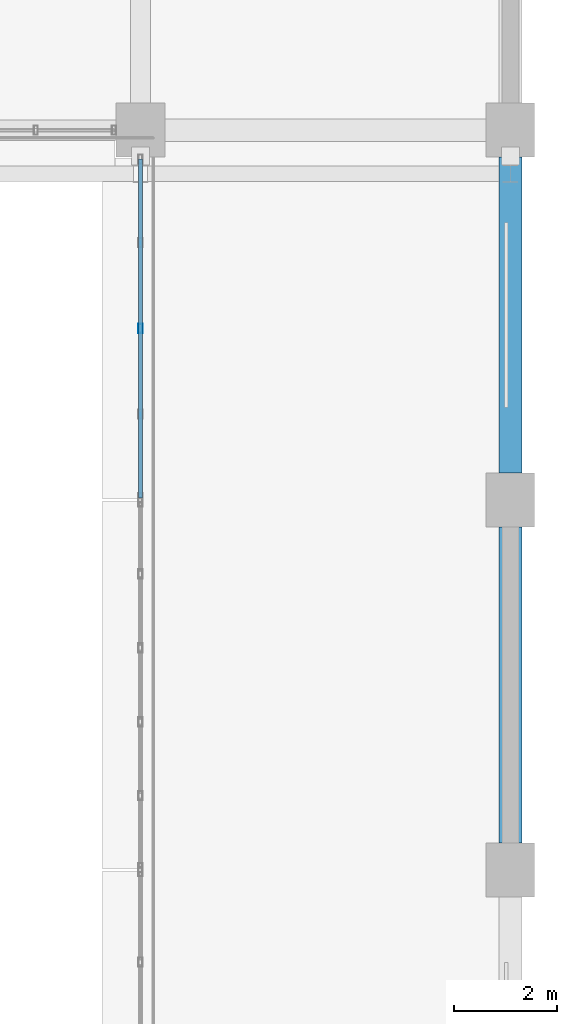
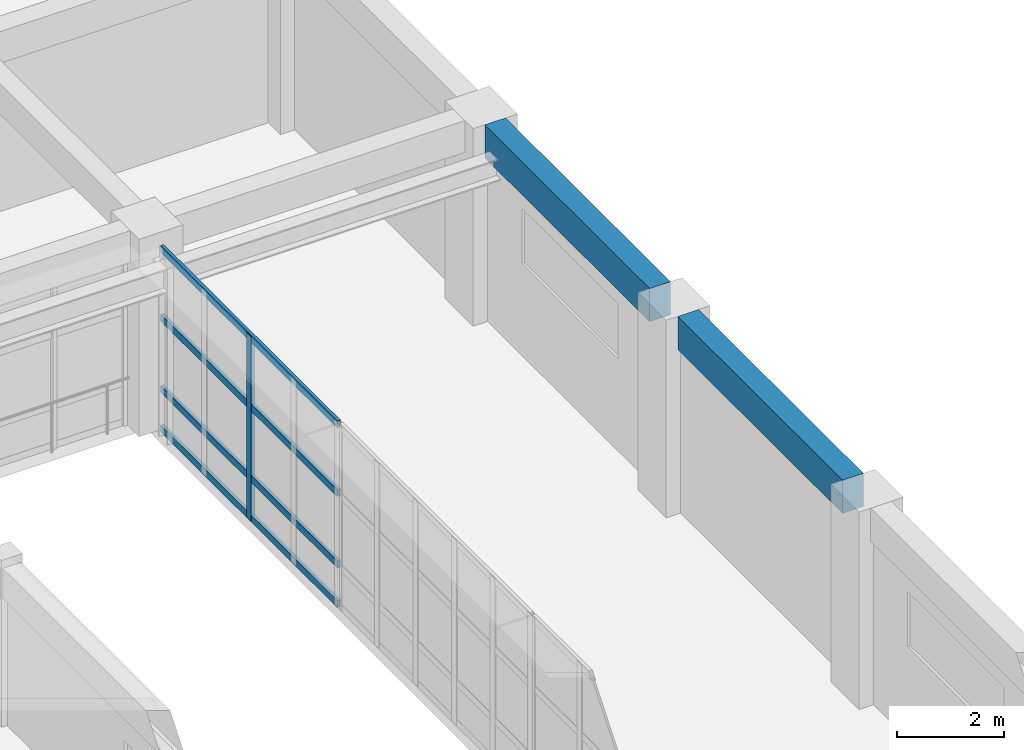
# One storey, part 102 of 171: 5 members, 2 beams, 1 element without a shape of its own.
"""IFC4 building model written with IfcOpenShell, lengths in metres."""

from ifc_helpers import new_model, si_unit, direction, frame, origin, origin_2d, place, context, subcontext, project, spatial, rectangle, hollow_rectangle, extrude, material, material_profile, profile_set, type_object, element, aggregate, save


model = new_model("IFC4")

# Units and contexts
model_context = context("Model", 3, precision=1e-05, world=origin(), true_north=direction((0.0, 1.0)))
body_context = subcontext(model_context, "Body", "Model", "MODEL_VIEW")
ifc_project = project(units=[si_unit("LENGTHUNIT", "METRE"), si_unit("AREAUNIT", "SQUARE_METRE"), si_unit("VOLUMEUNIT", "CUBIC_METRE"), si_unit("PLANEANGLEUNIT", "RADIAN"), si_unit("MASSUNIT", "GRAM", prefix="KILO")], contexts=[model_context])

# Site, building, storey
site_placement = place(None, origin())
site = spatial("IfcSite", under=ifc_project, at=site_placement, CompositionType="ELEMENT")
building_placement = place(site_placement, origin())
building = spatial("IfcBuilding", under=site, at=building_placement, Name="Thalmaran Polytechnic", CompositionType="ELEMENT")
storey_placement = place(building_placement, frame((0.0, 0.0, 5.39990234375)))
storey = spatial("IfcBuildingStorey", under=building, at=storey_placement, Name="L01", CompositionType="ELEMENT", Elevation=5.39990234375)

# Beams
ifc_material_1 = material(Name="Concrete C40/50", Category="concrete")
ifc_material_profile_1 = material_profile(ifc_material_1, rectangle(XDim=0.449951171875, YDim=0.7548828125, at=origin_2d()), Name="RC 450x755")
ifc_profile_set_1 = profile_set([ifc_material_profile_1], Name="Concrete C40/50")
beam_type = type_object("IfcBeamType", Name="BM-SP02", PredefinedType="SPANDREL", material=ifc_profile_set_1)
beam_1_placement = place(storey_placement, frame((172.800048828125, 36.52490234375, 4.12255859375), z_axis=(0.0, 1.0, 0.0), x_axis=(-1.0, 0.0, 0.0)))
element("IfcBeam", 1, at=beam_1_placement, inside=storey, type_object=beam_type, Name="Grid Beam SP02 L01 Y(24,5)", PredefinedType="SPANDREL", context=body_context, shape_type="SweptSolid", body=[
    extrude(rectangle(XDim=0.449951171875, YDim=0.7548828125, at=origin_2d()), origin(), (0.0, 0.0, 1.0), 6.150146484375),
])
beam_2_placement = place(storey_placement, frame((172.800048828125, 43.72509765625, 4.12255859375), z_axis=(0.0, 1.0, 0.0), x_axis=(-1.0, 0.0, 0.0)))
element("IfcBeam", 2, at=beam_2_placement, inside=storey, type_object=beam_type, Name="Grid Beam SP02 L01 Y(24,6)", PredefinedType="SPANDREL", context=body_context, shape_type="SweptSolid", body=[
    extrude(rectangle(XDim=0.449951171875, YDim=0.7548828125, at=origin_2d()), origin(), (0.0, 0.0, 1.0), 6.14990234375),
])

# Curtain wall, members
ifc_material_2 = material(Name="Aluminium 6063-T6", Category="aluminium")
curtain_wall_type = type_object("IfcCurtainWallType", Name="CW-UC02", PredefinedType="USERDEFINED", material=ifc_material_2)
curtain_wall_placement = place(storey_placement, origin())
curtain_wall = element("IfcCurtainWall", 3, at=curtain_wall_placement, inside=storey, type_object=curtain_wall_type, Name="Curtain Wall CW-L01-123", ObjectType="UNITISED CURTAIN WALL", PredefinedType="USERDEFINED")
ifc_material_profile_2 = material_profile(ifc_material_2, hollow_rectangle(XDim=0.080078125, YDim=0.179931640625, WallThickness=0.0048828125, at=origin_2d()), Name="RHS 180x80x5.0")
ifc_profile_set_2 = profile_set([ifc_material_profile_2], Name="Aluminium 6063-T6")
member_type_1 = type_object("IfcMemberType", Name="CW-MUL1", PredefinedType="MULLION", material=ifc_profile_set_2)
member_1_placement = place(storey_placement, frame((165.60009765625, 46.53759765625, 0.0), z_axis=(0.0, 0.0, 1.0), x_axis=(1.0, 0.0, 0.0)))
member_1 = element("IfcMember", 4, at=member_1_placement, type_object=member_type_1, Name="CW-L01-123 Mullion 3", PredefinedType="MULLION", context=body_context, shape_type="SweptSolid", body=[
    extrude(hollow_rectangle(XDim=0.080078125, YDim=0.179931640625, WallThickness=0.0048828125, at=origin_2d()), origin(), (0.0, 0.0, 1.0), 4.210205078125),
])
ifc_material_profile_3 = material_profile(ifc_material_2, hollow_rectangle(XDim=0.070068359375, YDim=0.159912109375, WallThickness=0.00390625, at=origin_2d()), Name="AL 160x70x4.0")
ifc_profile_set_3 = profile_set([ifc_material_profile_3], Name="Aluminium 6063-T6")
member_type_2 = type_object("IfcMemberType", Name="CW-TRN1", PredefinedType="USERDEFINED", material=ifc_profile_set_3)
member_2_placement = place(storey_placement, frame((165.60009765625, 43.239990234375, 0.06005859375), z_axis=(0.0, 1.0, 0.0), x_axis=(-1.0, 0.0, 0.0)))
member_2 = element("IfcMember", 5, at=member_2_placement, type_object=member_type_2, Name="CW-L01-123 Transom 1", ObjectType="TRANSOM", PredefinedType="USERDEFINED", context=body_context, shape_type="SweptSolid", body=[
    extrude(hollow_rectangle(XDim=0.070068359375, YDim=0.159912109375, WallThickness=0.00390625, at=origin_2d()), origin(), (0.0, 0.0, 1.0), 6.594970703125),
])
member_3_placement = place(storey_placement, frame((165.60009765625, 43.239990234375, 0.960205078125), z_axis=(0.0, 1.0, 0.0), x_axis=(-1.0, 0.0, 0.0)))
member_3 = element("IfcMember", 6, at=member_3_placement, type_object=member_type_2, Name="CW-L01-123 Transom 2", ObjectType="TRANSOM", PredefinedType="USERDEFINED", context=body_context, shape_type="SweptSolid", body=[
    extrude(hollow_rectangle(XDim=0.070068359375, YDim=0.159912109375, WallThickness=0.00390625, at=origin_2d()), origin(), (0.0, 0.0, 1.0), 6.594970703125),
])
member_4_placement = place(storey_placement, frame((165.60009765625, 43.239990234375, 2.585205078125), z_axis=(0.0, 1.0, 0.0), x_axis=(-1.0, 0.0, 0.0)))
member_4 = element("IfcMember", 7, at=member_4_placement, type_object=member_type_2, Name="CW-L01-123 Transom 3", ObjectType="TRANSOM", PredefinedType="USERDEFINED", context=body_context, shape_type="SweptSolid", body=[
    extrude(hollow_rectangle(XDim=0.070068359375, YDim=0.159912109375, WallThickness=0.00390625, at=origin_2d()), origin(), (0.0, 0.0, 1.0), 6.594970703125),
])
member_5_placement = place(storey_placement, frame((165.60009765625, 43.239990234375, 4.150146484375), z_axis=(0.0, 1.0, 0.0), x_axis=(-1.0, 0.0, 0.0)))
member_5 = element("IfcMember", 8, at=member_5_placement, type_object=member_type_2, Name="CW-L01-123 Transom 4", ObjectType="TRANSOM", PredefinedType="USERDEFINED", context=body_context, shape_type="SweptSolid", body=[
    extrude(hollow_rectangle(XDim=0.070068359375, YDim=0.159912109375, WallThickness=0.00390625, at=origin_2d()), origin(), (0.0, 0.0, 1.0), 6.594970703125),
])
aggregate(curtain_wall, [member_1, member_2, member_3, member_4, member_5])

save(model, "model.ifc")
